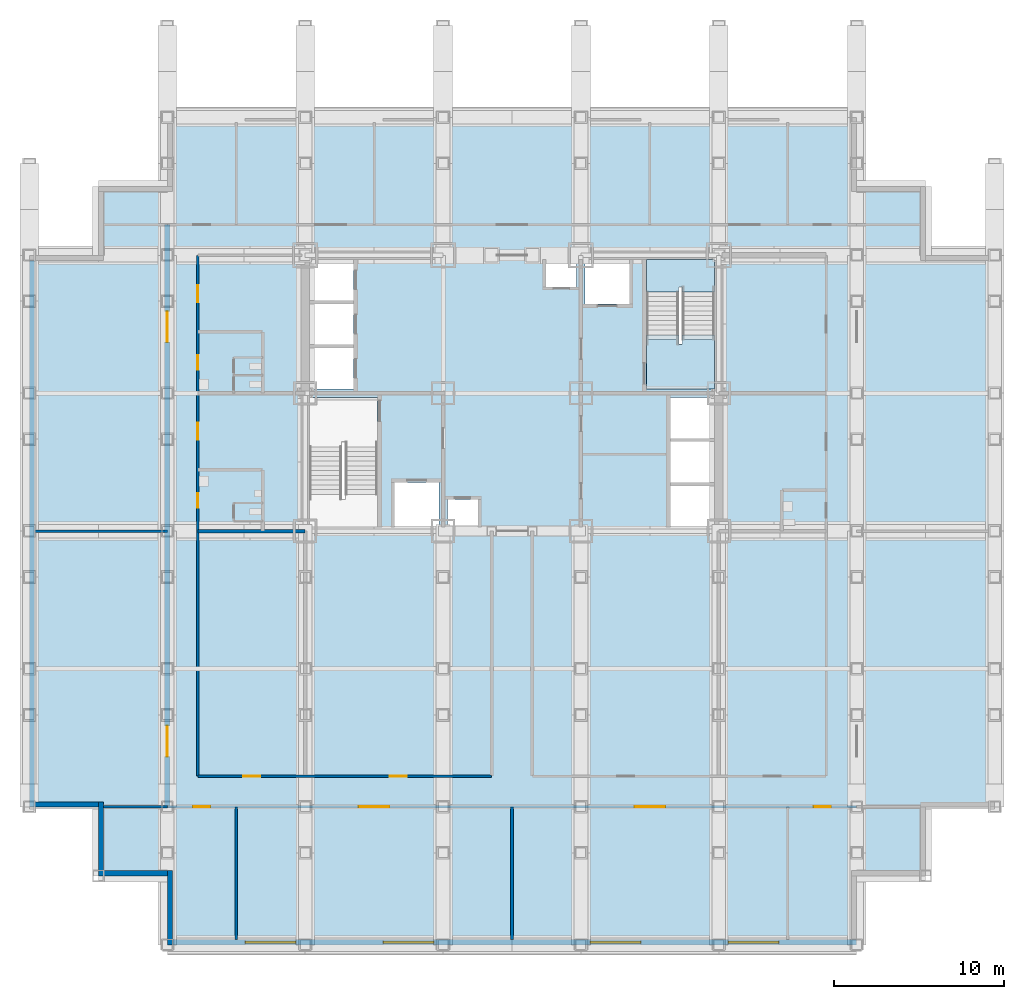
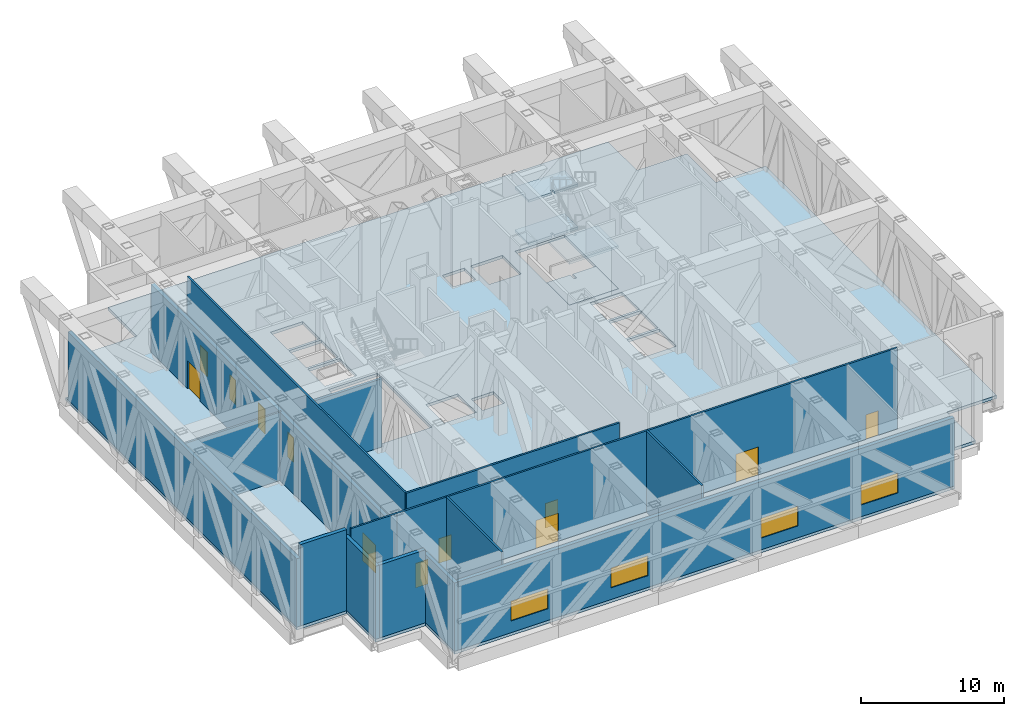
# One storey, part 7 of 13: 15 walls, 12 doors, 5 slabs, 4 windows, 16 openings, 1 element without a shape of its own.
"""IFC4 building model written with IfcOpenShell, lengths in metres."""

from ifc_helpers import new_model, si_unit, direction, frame, frame_2d, origin, place, context, subcontext, project, spatial, polyline, rectangle, outline, extrude, material, layer, layer_set, type_object, element, fill, aggregate, save


model = new_model("IFC4")

# Units and contexts
model_context = context("Model", 3, precision=1e-05, world=origin(), true_north=direction((0.0, 1.0)))
body_context = subcontext(model_context, "Body", "Model", "MODEL_VIEW")
ifc_project = project(units=[si_unit("LENGTHUNIT", "METRE"), si_unit("AREAUNIT", "SQUARE_METRE"), si_unit("VOLUMEUNIT", "CUBIC_METRE"), si_unit("PLANEANGLEUNIT", "RADIAN"), si_unit("MASSUNIT", "GRAM", prefix="KILO")], contexts=[model_context])

# Site, building, storey
site_placement = place(None, origin())
site = spatial("IfcSite", under=ifc_project, at=site_placement, CompositionType="ELEMENT")
building_placement = place(site_placement, origin())
building = spatial("IfcBuilding", under=site, at=building_placement, Name="Kopane Lantern Tower", CompositionType="ELEMENT")
storey_placement = place(building_placement, frame((0.0, 0.0, 90.800048828125)))
storey = spatial("IfcBuildingStorey", under=building, at=storey_placement, Name="L23", CompositionType="ELEMENT", Elevation=90.800048828125)

# Slab
ifc_material_1 = material(Name="Concrete C40/50", Category="concrete")
ifc_layer_1 = layer(ifc_material_1, 0.25)
ifc_layer_set_1 = layer_set([ifc_layer_1], Name="SLAB 250 COMPOSITE")
slab_type_1 = type_object("IfcSlabType", Name="SLAB 250 COMPOSITE", PredefinedType="FLOOR", material=ifc_layer_set_1)
slab_1_placement = place(storey_placement, frame((0.0, 0.0, -0.25)))
element("IfcSlab", 1, at=slab_1_placement, inside=storey, type_object=slab_type_1, Name="Floor slab L23", PredefinedType="FLOOR", context=body_context, shape_type="SweptSolid", body=[
    extrude(outline(polyline([(8.10009765625, 0.0), (48.60009765625, 0.0), (48.60009765625, 4.050048828125), (52.64990234375, 4.050048828125), (52.64990234375, 8.10009765625), (56.699951171875, 8.10009765625), (56.699951171875, 40.5), (52.64990234375, 40.5), (52.64990234375, 44.550048828125), (48.60009765625, 44.550048828125), (48.60009765625, 48.60009765625), (8.10009765625, 48.60009765625), (8.10009765625, 44.550048828125), (4.050048828125, 44.550048828125), (4.050048828125, 40.5), (0.0, 40.5), (0.0, 8.10009765625), (4.050048828125, 8.10009765625), (4.050048828125, 4.050048828125), (8.10009765625, 4.050048828125), (8.10009765625, 0.0)]), holes=[polyline([(16.449951171875, 24.550048828125), (20.449951171875, 24.550048828125), (20.449951171875, 32.14990234375), (16.449951171875, 32.14990234375), (16.449951171875, 24.550048828125)]), polyline([(36.25, 32.64990234375), (40.25, 32.64990234375), (40.25, 40.25), (36.25, 40.25), (36.25, 32.64990234375)]), polyline([(16.449951171875, 32.64990234375), (19.050048828125, 32.64990234375), (19.050048828125, 35.050048828125), (16.449951171875, 35.050048828125), (16.449951171875, 32.64990234375)]), polyline([(16.449951171875, 35.25), (19.050048828125, 35.25), (19.050048828125, 37.64990234375), (16.449951171875, 37.64990234375), (16.449951171875, 35.25)]), polyline([(16.449951171875, 37.85009765625), (19.050048828125, 37.85009765625), (19.050048828125, 40.25), (16.449951171875, 40.25), (16.449951171875, 37.85009765625)]), polyline([(37.64990234375, 24.550048828125), (40.25, 24.550048828125), (40.25, 26.949951171875), (37.64990234375, 26.949951171875), (37.64990234375, 24.550048828125)]), polyline([(37.64990234375, 27.14990234375), (40.25, 27.14990234375), (40.25, 29.550048828125), (37.64990234375, 29.550048828125), (37.64990234375, 27.14990234375)]), polyline([(37.64990234375, 29.75), (40.25, 29.75), (40.25, 32.14990234375), (37.64990234375, 32.14990234375), (37.64990234375, 29.75)]), polyline([(21.449951171875, 24.550048828125), (24.050048828125, 24.550048828125), (24.050048828125, 27.14990234375), (21.449951171875, 27.14990234375), (21.449951171875, 24.550048828125)]), polyline([(32.64990234375, 37.64990234375), (35.25, 37.64990234375), (35.25, 40.25), (32.64990234375, 40.25), (32.64990234375, 37.64990234375)]), polyline([(24.550048828125, 24.550048828125), (26.35009765625, 24.550048828125), (26.35009765625, 26.14990234375), (24.550048828125, 26.14990234375), (24.550048828125, 24.550048828125)]), polyline([(30.35009765625, 38.64990234375), (32.14990234375, 38.64990234375), (32.14990234375, 40.25), (30.35009765625, 40.25), (30.35009765625, 38.64990234375)])]), origin(), (0.0, 0.0, 1.0), 0.25),
])

# Stair, slabs
ifc_material_2 = material(Name="Steel S355JR", Category="steel")
stair_type = type_object("IfcStairType", Name="EXIT STAIR 1900 HALF TURN", PredefinedType="HALF_TURN_STAIR", material=ifc_material_2)
stair_placement = place(storey_placement, origin())
stair = element("IfcStair", 2, at=stair_placement, inside=storey, type_object=stair_type, Name="Exit stair ST2 L23", PredefinedType="HALF_TURN_STAIR")
ifc_material_3 = material(Name="Concrete C40/50", Category="concrete")
ifc_layer_2 = layer(ifc_material_3, 0.199951171875)
ifc_layer_set_2 = layer_set([ifc_layer_2], Name="STAIR LANDING 200")
slab_type_2 = type_object("IfcSlabType", Name="STAIR LANDING 200", PredefinedType="LANDING", material=ifc_layer_set_2)
slab_2_placement = place(storey_placement, frame((0.0, 0.0, -0.199951171875)))
slab_2 = element("IfcSlab", 3, at=slab_2_placement, type_object=slab_type_2, Name="ST2 landing 1", PredefinedType="LANDING", context=body_context, shape_type="SweptSolid", body=[
    extrude(outline(polyline([(40.25, 35.830078125), (38.35009765625, 35.830078125), (38.35009765625, 35.27001953125), (38.14990234375, 35.27001953125), (38.14990234375, 35.830078125), (36.25, 35.830078125), (36.25, 32.64990234375), (40.25, 32.64990234375), (40.25, 35.830078125)])), origin(), (0.0, 0.0, 1.0), 0.199951171875),
])
slab_3_placement = place(storey_placement, frame((0.0, 0.0, 1.641845703125)))
slab_3 = element("IfcSlab", 4, at=slab_3_placement, type_object=slab_type_2, Name="ST2 landing 2", PredefinedType="LANDING", context=body_context, shape_type="SweptSolid", body=[
    extrude(outline(polyline([(38.14990234375, 38.6298828125), (38.35009765625, 38.6298828125), (38.35009765625, 38.35009765625), (40.25, 38.35009765625), (40.25, 40.25), (36.25, 40.25), (36.25, 38.35009765625), (38.14990234375, 38.35009765625), (38.14990234375, 38.6298828125)])), origin(), (0.0, 0.0, 1.0), 0.199951171875),
])
slab_4_placement = place(storey_placement, frame((0.0, 0.0, 3.483642578125)))
slab_4 = element("IfcSlab", 5, at=slab_4_placement, type_object=slab_type_2, Name="ST2 landing 3", PredefinedType="LANDING", context=body_context, shape_type="SweptSolid", body=[
    extrude(outline(polyline([(40.25, 35.550048828125), (38.35009765625, 35.550048828125), (38.35009765625, 35.27001953125), (38.14990234375, 35.27001953125), (38.14990234375, 35.550048828125), (36.25, 35.550048828125), (36.25, 32.64990234375), (40.25, 32.64990234375), (40.25, 35.550048828125)])), origin(), (0.0, 0.0, 1.0), 0.199951171875),
])
slab_5_placement = place(storey_placement, frame((0.0, 0.0, 5.325439453125)))
slab_5 = element("IfcSlab", 6, at=slab_5_placement, type_object=slab_type_2, Name="ST2 landing 4", PredefinedType="LANDING", context=body_context, shape_type="SweptSolid", body=[
    extrude(outline(polyline([(38.14990234375, 38.6298828125), (38.35009765625, 38.6298828125), (38.35009765625, 38.35009765625), (40.25, 38.35009765625), (40.25, 40.25), (36.25, 40.25), (36.25, 38.35009765625), (38.14990234375, 38.35009765625), (38.14990234375, 38.6298828125)])), origin(), (0.0, 0.0, 1.0), 0.2001953125),
])
aggregate(stair, [slab_2, slab_3, slab_4, slab_5])

# Wall, openings, doors
ifc_material_4 = material(Name="Gypsum board on steel studs", Category="steel")
ifc_layer_3 = layer(ifc_material_4, 0.14990234375)
ifc_layer_set_3 = layer_set([ifc_layer_3], Name="CORRIDOR WALL 150 EI 60")
wall_type_1 = type_object("IfcWallType", Name="CORRIDOR WALL 150 EI 60", PredefinedType="PARTITIONING", material=ifc_layer_set_3)
wall_1_placement = place(storey_placement, frame((8.10009765625, 8.10009765625, 0.0), z_axis=(0.0, 0.0, 1.0), x_axis=(1.0, 0.0, 0.0)))
wall_1 = element("IfcWall", 7, at=wall_1_placement, inside=storey, type_object=wall_type_1, Name="Corridor Wall 150 Ei 60 L23", PredefinedType="PARTITIONING", context=body_context, shape_type="SweptSolid", body=[
    extrude(rectangle(XDim=40.5, YDim=0.14990234375, at=frame_2d((20.25, 0.0))), origin(), (0.0, 0.0, 1.0), 6.949951171875),
])
opening_1_placement = place(wall_1_placement, frame((11.25, 0.0, 0.0)))
opening_1 = element("IfcOpeningElement", 8, at=opening_1_placement, cuts=wall_1, Name="Opening L23-012", PredefinedType="OPENING", context=body_context, shape_type="SweptSolid", body=[
    extrude(rectangle(XDim=1.800048828125, YDim=2.39990234375, at=frame_2d((0.89990234375, 1.199951171875))), frame((0.0, 0.0849609375, 0.0), z_axis=(0.0, -1.0, 0.0), x_axis=(1.0, 0.0, 0.0)), (0.0, 0.0, 1.0), 0.169921875),
])
opening_2_placement = place(wall_1_placement, frame((27.449951171875, 0.0, 0.0)))
opening_2 = element("IfcOpeningElement", 9, at=opening_2_placement, cuts=wall_1, Name="Opening L23-013", PredefinedType="OPENING", context=body_context, shape_type="SweptSolid", body=[
    extrude(rectangle(XDim=1.800048828125, YDim=2.39990234375, at=frame_2d((0.89990234375, 1.199951171875))), frame((0.0, 0.0849609375, 0.0), z_axis=(0.0, -1.0, 0.0), x_axis=(1.0, 0.0, 0.0)), (0.0, 0.0, 1.0), 0.169921875),
])
opening_3_placement = place(wall_1_placement, frame((1.52490234375, 0.0, 0.0)))
opening_3 = element("IfcOpeningElement", 10, at=opening_3_placement, cuts=wall_1, Name="Opening L23-021", PredefinedType="OPENING", context=body_context, shape_type="SweptSolid", body=[
    extrude(rectangle(XDim=1.0, YDim=2.10009765625, at=frame_2d((0.5, 1.050048828125))), frame((0.0, 0.0849609375, 0.0), z_axis=(0.0, -1.0, 0.0), x_axis=(1.0, 0.0, 0.0)), (0.0, 0.0, 1.0), 0.169921875),
])
opening_4_placement = place(wall_1_placement, frame((37.97509765625, 0.0, 0.0)))
opening_4 = element("IfcOpeningElement", 11, at=opening_4_placement, cuts=wall_1, Name="Opening L23-022", PredefinedType="OPENING", context=body_context, shape_type="SweptSolid", body=[
    extrude(rectangle(XDim=1.0, YDim=2.10009765625, at=frame_2d((0.5, 1.050048828125))), frame((0.0, 0.0849609375, 0.0), z_axis=(0.0, -1.0, 0.0), x_axis=(1.0, 0.0, 0.0)), (0.0, 0.0, 1.0), 0.169921875),
])
ifc_material_5 = material(Name="Steel door set", Category="steel")
door_type_1 = type_object("IfcDoorType", Name="DOOR D5 1000x2100 FD60", OperationType="SINGLE_SWING_LEFT", PredefinedType="DOOR", material=ifc_material_5)
door_1_placement = place(opening_3_placement, origin())
door_1 = element("IfcDoor", 12, at=door_1_placement, inside=storey, type_object=door_type_1, Name="Door L23-021", OperationType="SINGLE_SWING_LEFT", OverallHeight=2.10009765625, OverallWidth=1.0, PredefinedType="DOOR", context=body_context, shape_type="SweptSolid", body=[
    extrude(rectangle(XDim=1.0, YDim=2.10009765625, at=frame_2d((0.5, 1.050048828125))), frame((0.0, 0.02490234375, 0.0), z_axis=(0.0, -1.0, 0.0), x_axis=(1.0, 0.0, 0.0)), (0.0, 0.0, 1.0), 0.050048828125),
])
fill(opening_3, door_1)
door_2_placement = place(opening_4_placement, origin())
door_2 = element("IfcDoor", 13, at=door_2_placement, inside=storey, type_object=door_type_1, Name="Door L23-022", OperationType="SINGLE_SWING_RIGHT", OverallHeight=2.10009765625, OverallWidth=1.0, PredefinedType="DOOR", context=body_context, shape_type="SweptSolid", body=[
    extrude(rectangle(XDim=1.0, YDim=2.10009765625, at=frame_2d((0.5, 1.050048828125))), frame((0.0, 0.02490234375, 0.0), z_axis=(0.0, -1.0, 0.0), x_axis=(1.0, 0.0, 0.0)), (0.0, 0.0, 1.0), 0.050048828125),
])
fill(opening_4, door_2)
ifc_material_6 = material(Name="Steel door set", Category="steel")
door_type_2 = type_object("IfcDoorType", Name="DOOR D6 1800x2400 FD30S", OperationType="SINGLE_SWING_LEFT", PredefinedType="DOOR", material=ifc_material_6)
door_3_placement = place(opening_1_placement, origin())
door_3 = element("IfcDoor", 14, at=door_3_placement, inside=storey, type_object=door_type_2, Name="Door L23-012", OperationType="DOUBLE_DOOR_SINGLE_SWING", OverallHeight=2.39990234375, OverallWidth=1.800048828125, PredefinedType="DOOR", context=body_context, shape_type="SweptSolid", body=[
    extrude(rectangle(XDim=1.800048828125, YDim=2.39990234375, at=frame_2d((0.89990234375, 1.199951171875))), frame((0.0, 0.02490234375, 0.0), z_axis=(0.0, -1.0, 0.0), x_axis=(1.0, 0.0, 0.0)), (0.0, 0.0, 1.0), 0.050048828125),
])
fill(opening_1, door_3)
ifc_material_7 = material(Name="Steel door set", Category="steel")
door_type_3 = type_object("IfcDoorType", Name="DOOR D8 1800x2400 FD120", OperationType="SINGLE_SWING_LEFT", PredefinedType="DOOR", material=ifc_material_7)
door_4_placement = place(opening_2_placement, origin())
door_4 = element("IfcDoor", 15, at=door_4_placement, inside=storey, type_object=door_type_3, Name="Door L23-013", OperationType="DOUBLE_DOOR_SINGLE_SWING", OverallHeight=2.39990234375, OverallWidth=1.800048828125, PredefinedType="DOOR", context=body_context, shape_type="SweptSolid", body=[
    extrude(rectangle(XDim=1.800048828125, YDim=2.39990234375, at=frame_2d((0.89990234375, 1.199951171875))), frame((0.0, 0.02490234375, 0.0), z_axis=(0.0, -1.0, 0.0), x_axis=(1.0, 0.0, 0.0)), (0.0, 0.0, 1.0), 0.050048828125),
])
fill(opening_2, door_4)

wall_2_placement = place(storey_placement, frame((9.89990234375, 40.5, 0.0), z_axis=(0.0, 0.0, 1.0), x_axis=(0.0, -1.0, 0.0)))
wall_2 = element("IfcWall", 16, at=wall_2_placement, inside=storey, type_object=wall_type_1, Name="Corridor Wall 150 Ei 60 L23", PredefinedType="PARTITIONING", context=body_context, shape_type="SweptSolid", body=[
    extrude(rectangle(XDim=30.60009765625, YDim=0.14990234375, at=frame_2d((15.300048828125, 0.0))), origin(), (0.0, 0.0, 1.0), 6.949951171875),
])
opening_5_placement = place(wall_2_placement, frame((13.97509765625, 0.0, 0.0)))
opening_5 = element("IfcOpeningElement", 17, at=opening_5_placement, cuts=wall_2, Name="Opening L23-001", PredefinedType="OPENING", context=body_context, shape_type="SweptSolid", body=[
    extrude(rectangle(XDim=0.85009765625, YDim=2.10009765625, at=frame_2d((0.425048828125, 1.050048828125))), frame((0.0, 0.0849609375, 0.0), z_axis=(0.0, -1.0, 0.0), x_axis=(1.0, 0.0, 0.0)), (0.0, 0.0, 1.0), 0.169921875),
])
opening_6_placement = place(wall_2_placement, frame((9.85009765625, 0.0, 0.0)))
opening_6 = element("IfcOpeningElement", 18, at=opening_6_placement, cuts=wall_2, Name="Opening L23-002", PredefinedType="OPENING", context=body_context, shape_type="SweptSolid", body=[
    extrude(rectangle(XDim=1.0, YDim=2.10009765625, at=frame_2d((0.5, 1.050048828125))), frame((0.0, 0.0849609375, 0.0), z_axis=(0.0, -1.0, 0.0), x_axis=(1.0, 0.0, 0.0)), (0.0, 0.0, 1.0), 0.169921875),
])
opening_7_placement = place(wall_2_placement, frame((5.875, 0.0, 0.0)))
opening_7 = element("IfcOpeningElement", 19, at=opening_7_placement, cuts=wall_2, Name="Opening L23-003", PredefinedType="OPENING", context=body_context, shape_type="SweptSolid", body=[
    extrude(rectangle(XDim=0.85009765625, YDim=2.10009765625, at=frame_2d((0.425048828125, 1.050048828125))), frame((0.0, 0.0849609375, 0.0), z_axis=(0.0, -1.0, 0.0), x_axis=(1.0, 0.0, 0.0)), (0.0, 0.0, 1.0), 0.169921875),
])
opening_8_placement = place(wall_2_placement, frame((1.75, 0.0, 0.0)))
opening_8 = element("IfcOpeningElement", 20, at=opening_8_placement, cuts=wall_2, Name="Opening L23-004", PredefinedType="OPENING", context=body_context, shape_type="SweptSolid", body=[
    extrude(rectangle(XDim=1.0, YDim=2.10009765625, at=frame_2d((0.5, 1.050048828125))), frame((0.0, 0.0849609375, 0.0), z_axis=(0.0, -1.0, 0.0), x_axis=(1.0, 0.0, 0.0)), (0.0, 0.0, 1.0), 0.169921875),
])
ifc_material_8 = material(Name="Timber door set", Category="wood")
door_type_4 = type_object("IfcDoorType", Name="DOOR D4 850x2100", OperationType="SINGLE_SWING_LEFT", PredefinedType="DOOR", material=ifc_material_8)
door_5_placement = place(opening_5_placement, origin())
door_5 = element("IfcDoor", 21, at=door_5_placement, inside=storey, type_object=door_type_4, Name="Door L23-001", OperationType="SINGLE_SWING_RIGHT", OverallHeight=2.10009765625, OverallWidth=0.85009765625, PredefinedType="DOOR", context=body_context, shape_type="SweptSolid", body=[
    extrude(rectangle(XDim=0.85009765625, YDim=2.10009765625, at=frame_2d((0.425048828125, 1.050048828125))), frame((0.0, 0.02490234375, 0.0), z_axis=(0.0, -1.0, 0.0), x_axis=(1.0, 0.0, 0.0)), (0.0, 0.0, 1.0), 0.050048828125),
])
fill(opening_5, door_5)
door_6_placement = place(opening_7_placement, origin())
door_6 = element("IfcDoor", 22, at=door_6_placement, inside=storey, type_object=door_type_4, Name="Door L23-003", OperationType="SINGLE_SWING_RIGHT", OverallHeight=2.10009765625, OverallWidth=0.85009765625, PredefinedType="DOOR", context=body_context, shape_type="SweptSolid", body=[
    extrude(rectangle(XDim=0.85009765625, YDim=2.10009765625, at=frame_2d((0.425048828125, 1.050048828125))), frame((0.0, 0.02490234375, 0.0), z_axis=(0.0, -1.0, 0.0), x_axis=(1.0, 0.0, 0.0)), (0.0, 0.0, 1.0), 0.050048828125),
])
fill(opening_7, door_6)
door_7_placement = place(opening_6_placement, origin())
door_7 = element("IfcDoor", 23, at=door_7_placement, inside=storey, type_object=door_type_1, Name="Door L23-002", OperationType="SINGLE_SWING_LEFT", OverallHeight=2.10009765625, OverallWidth=1.0, PredefinedType="DOOR", context=body_context, shape_type="SweptSolid", body=[
    extrude(rectangle(XDim=1.0, YDim=2.10009765625, at=frame_2d((0.5, 1.050048828125))), frame((0.0, 0.02490234375, 0.0), z_axis=(0.0, -1.0, 0.0), x_axis=(1.0, 0.0, 0.0)), (0.0, 0.0, 1.0), 0.050048828125),
])
fill(opening_6, door_7)
door_8_placement = place(opening_8_placement, origin())
door_8 = element("IfcDoor", 24, at=door_8_placement, inside=storey, type_object=door_type_1, Name="Door L23-004", OperationType="SINGLE_SWING_LEFT", OverallHeight=2.10009765625, OverallWidth=1.0, PredefinedType="DOOR", context=body_context, shape_type="SweptSolid", body=[
    extrude(rectangle(XDim=1.0, YDim=2.10009765625, at=frame_2d((0.5, 1.050048828125))), frame((0.0, 0.02490234375, 0.0), z_axis=(0.0, -1.0, 0.0), x_axis=(1.0, 0.0, 0.0)), (0.0, 0.0, 1.0), 0.050048828125),
])
fill(opening_8, door_8)

wall_3_placement = place(storey_placement, frame((9.89990234375, 9.89990234375, 0.0), z_axis=(0.0, 0.0, 1.0), x_axis=(1.0, 0.0, 0.0)))
wall_3 = element("IfcWall", 25, at=wall_3_placement, inside=storey, type_object=wall_type_1, Name="Corridor Wall 150 Ei 60 L23", PredefinedType="PARTITIONING", context=body_context, shape_type="SweptSolid", body=[
    extrude(rectangle(XDim=17.239990234375, YDim=0.14990234375, at=frame_2d((8.6201171875, 0.0))), origin(), (0.0, 0.0, 1.0), 6.949951171875),
])
opening_9_placement = place(wall_3_placement, frame((2.64990234375, 0.0, 0.0)))
opening_9 = element("IfcOpeningElement", 26, at=opening_9_placement, cuts=wall_3, Name="Opening L23-008", PredefinedType="OPENING", context=body_context, shape_type="SweptSolid", body=[
    extrude(rectangle(XDim=1.0, YDim=2.10009765625, at=frame_2d((0.5, 1.050048828125))), frame((0.0, 0.0849609375, 0.0), z_axis=(0.0, -1.0, 0.0), x_axis=(1.0, 0.0, 0.0)), (0.0, 0.0, 1.0), 0.169921875),
])
opening_10_placement = place(wall_3_placement, frame((11.27490234375, 0.0, 0.0)))
opening_10 = element("IfcOpeningElement", 27, at=opening_10_placement, cuts=wall_3, Name="Opening L23-009", PredefinedType="OPENING", context=body_context, shape_type="SweptSolid", body=[
    extrude(rectangle(XDim=1.0, YDim=2.10009765625, at=frame_2d((0.5, 1.050048828125))), frame((0.0, 0.0849609375, 0.0), z_axis=(0.0, -1.0, 0.0), x_axis=(1.0, 0.0, 0.0)), (0.0, 0.0, 1.0), 0.169921875),
])
door_9_placement = place(opening_9_placement, origin())
door_9 = element("IfcDoor", 28, at=door_9_placement, inside=storey, type_object=door_type_1, Name="Door L23-008", OperationType="SINGLE_SWING_LEFT", OverallHeight=2.10009765625, OverallWidth=1.0, PredefinedType="DOOR", context=body_context, shape_type="SweptSolid", body=[
    extrude(rectangle(XDim=1.0, YDim=2.10009765625, at=frame_2d((0.5, 1.050048828125))), frame((0.0, 0.02490234375, 0.0), z_axis=(0.0, -1.0, 0.0), x_axis=(1.0, 0.0, 0.0)), (0.0, 0.0, 1.0), 0.050048828125),
])
fill(opening_9, door_9)
door_10_placement = place(opening_10_placement, origin())
door_10 = element("IfcDoor", 29, at=door_10_placement, inside=storey, type_object=door_type_1, Name="Door L23-009", OperationType="SINGLE_SWING_RIGHT", OverallHeight=2.10009765625, OverallWidth=1.0, PredefinedType="DOOR", context=body_context, shape_type="SweptSolid", body=[
    extrude(rectangle(XDim=1.0, YDim=2.10009765625, at=frame_2d((0.5, 1.050048828125))), frame((0.0, 0.02490234375, 0.0), z_axis=(0.0, -1.0, 0.0), x_axis=(1.0, 0.0, 0.0)), (0.0, 0.0, 1.0), 0.050048828125),
])
fill(opening_10, door_10)

# Walls
ifc_material_9 = material(Name="Gypsum board on steel studs", Category="steel")
ifc_layer_4 = layer(ifc_material_9, 0.14990234375)
ifc_layer_set_4 = layer_set([ifc_layer_4], Name="DEMISING WALL 150 EI 60")
wall_type_2 = type_object("IfcWallType", Name="DEMISING WALL 150 EI 60", PredefinedType="PARTITIONING", material=ifc_layer_set_4)
wall_4_placement = place(storey_placement, frame((28.35009765625, 8.10009765625, 0.0), z_axis=(0.0, 0.0, 1.0), x_axis=(0.0, -1.0, 0.0)))
element("IfcWall", 30, at=wall_4_placement, inside=storey, type_object=wall_type_2, Name="Demising Wall 150 Ei 60 L23", PredefinedType="PARTITIONING", context=body_context, shape_type="SweptSolid", body=[
    extrude(rectangle(XDim=7.800048828125, YDim=0.14990234375, at=frame_2d((3.89990234375, 0.0))), origin(), (0.0, 0.0, 1.0), 6.949951171875),
])
wall_5_placement = place(storey_placement, frame((8.10009765625, 24.300048828125, 0.0), z_axis=(0.0, 0.0, 1.0), x_axis=(-1.0, 0.0, 0.0)))
element("IfcWall", 31, at=wall_5_placement, inside=storey, type_object=wall_type_2, Name="Demising Wall 150 Ei 60 L23", PredefinedType="PARTITIONING", context=body_context, shape_type="SweptSolid", body=[
    extrude(rectangle(XDim=7.800048828125, YDim=0.14990234375, at=frame_2d((3.89990234375, 0.0))), origin(), (0.0, 0.0, 1.0), 5.849853515625),
])
wall_6_placement = place(storey_placement, frame((4.35009765625, 8.10009765625, 0.0), z_axis=(0.0, 0.0, 1.0), x_axis=(1.0, 0.0, 0.0)))
element("IfcWall", 32, at=wall_6_placement, inside=storey, type_object=wall_type_2, Name="Demising Wall 150 Ei 60 L23", PredefinedType="PARTITIONING", context=body_context, shape_type="SweptSolid", body=[
    extrude(rectangle(XDim=3.75, YDim=0.14990234375, at=frame_2d((1.875, 0.0))), origin(), (0.0, 0.0, 1.0), 6.949951171875),
])
wall_7_placement = place(storey_placement, frame((12.14990234375, 8.10009765625, 0.0), z_axis=(0.0, 0.0, 1.0), x_axis=(0.0, -1.0, 0.0)))
element("IfcWall", 33, at=wall_7_placement, inside=storey, type_object=wall_type_2, Name="Demising Wall 150 Ei 60 L23", PredefinedType="PARTITIONING", context=body_context, shape_type="SweptSolid", body=[
    extrude(rectangle(XDim=7.800048828125, YDim=0.14990234375, at=frame_2d((3.89990234375, 0.0))), origin(), (0.0, 0.0, 1.0), 6.949951171875),
])

# Wall, openings, windows
ifc_material_10 = material(Name="Terracotta rainscreen on light steel framing", Category="masonry")
ifc_layer_5 = layer(ifc_material_10, 0.300048828125)
ifc_layer_set_5 = layer_set([ifc_layer_5], Name="EXTERNAL WALL EW1 300 TERRACOTTA")
wall_type_3 = type_object("IfcWallType", Name="EXTERNAL WALL EW1 300 TERRACOTTA", PredefinedType="SOLIDWALL", material=ifc_layer_set_5)
wall_8_placement = place(storey_placement, frame((8.39990234375, 0.14990234375, 0.0), z_axis=(0.0, 0.0, 1.0), x_axis=(1.0, 0.0, 0.0)))
wall_8 = element("IfcWall", 34, at=wall_8_placement, inside=storey, type_object=wall_type_3, Name="External wall S L23", PredefinedType="SOLIDWALL", context=body_context, shape_type="SweptSolid", body=[
    extrude(rectangle(XDim=40.2001953125, YDim=0.300048828125, at=frame_2d((20.10009765625, 0.0))), origin(), (0.0, 0.0, 1.0), 5.849853515625),
])
opening_11_placement = place(wall_8_placement, frame((4.27490234375, 0.0, 1.0)))
opening_11 = element("IfcOpeningElement", 35, at=opening_11_placement, cuts=wall_8, Name="Opening LV300170", PredefinedType="OPENING", context=body_context, shape_type="SweptSolid", body=[
    extrude(rectangle(XDim=3.0, YDim=1.699951171875, at=frame_2d((1.5, 0.85009765625))), frame((0.0, 0.159912109375, 0.0), z_axis=(0.0, -1.0, 0.0), x_axis=(1.0, 0.0, 0.0)), (0.0, 0.0, 1.0), 0.320068359375),
])
opening_12_placement = place(wall_8_placement, frame((12.375, 0.0, 1.0)))
opening_12 = element("IfcOpeningElement", 36, at=opening_12_placement, cuts=wall_8, Name="Opening LV300170", PredefinedType="OPENING", context=body_context, shape_type="SweptSolid", body=[
    extrude(rectangle(XDim=3.0, YDim=1.699951171875, at=frame_2d((1.5, 0.85009765625))), frame((0.0, 0.159912109375, 0.0), z_axis=(0.0, -1.0, 0.0), x_axis=(1.0, 0.0, 0.0)), (0.0, 0.0, 1.0), 0.320068359375),
])
opening_13_placement = place(wall_8_placement, frame((24.52490234375, 0.0, 1.0)))
opening_13 = element("IfcOpeningElement", 37, at=opening_13_placement, cuts=wall_8, Name="Opening LV300170", PredefinedType="OPENING", context=body_context, shape_type="SweptSolid", body=[
    extrude(rectangle(XDim=3.0, YDim=1.699951171875, at=frame_2d((1.5, 0.85009765625))), frame((0.0, 0.159912109375, 0.0), z_axis=(0.0, -1.0, 0.0), x_axis=(1.0, 0.0, 0.0)), (0.0, 0.0, 1.0), 0.320068359375),
])
opening_14_placement = place(wall_8_placement, frame((32.625, 0.0, 1.0)))
opening_14 = element("IfcOpeningElement", 38, at=opening_14_placement, cuts=wall_8, Name="Opening LV300170", PredefinedType="OPENING", context=body_context, shape_type="SweptSolid", body=[
    extrude(rectangle(XDim=3.0, YDim=1.699951171875, at=frame_2d((1.5, 0.85009765625))), frame((0.0, 0.159912109375, 0.0), z_axis=(0.0, -1.0, 0.0), x_axis=(1.0, 0.0, 0.0)), (0.0, 0.0, 1.0), 0.320068359375),
])
ifc_material_11 = material(Name="Aluminium louvre blades", Category="aluminium")
window_type = type_object("IfcWindowType", Name="PLANT LOUVRE LV300170 3000x1700x150", PartitioningType="SINGLE_PANEL", PredefinedType="USERDEFINED", material=ifc_material_11)
window_1_placement = place(opening_11_placement, origin())
window_1 = element("IfcWindow", 39, at=window_1_placement, inside=storey, type_object=window_type, Name="Louvre S L23", ObjectType="LOUVRE", OverallHeight=1.699951171875, OverallWidth=3.0, PartitioningType="SINGLE_PANEL", PredefinedType="USERDEFINED", context=body_context, shape_type="SweptSolid", body=[
    extrude(rectangle(XDim=3.0, YDim=1.699951171875, at=frame_2d((1.5, 0.85009765625))), frame((0.0, 0.074951171875, 0.0), z_axis=(0.0, -1.0, 0.0), x_axis=(1.0, 0.0, 0.0)), (0.0, 0.0, 1.0), 0.14990234375),
])
fill(opening_11, window_1)
window_2_placement = place(opening_12_placement, origin())
window_2 = element("IfcWindow", 40, at=window_2_placement, inside=storey, type_object=window_type, Name="Louvre S L23", ObjectType="LOUVRE", OverallHeight=1.699951171875, OverallWidth=3.0, PartitioningType="SINGLE_PANEL", PredefinedType="USERDEFINED", context=body_context, shape_type="SweptSolid", body=[
    extrude(rectangle(XDim=3.0, YDim=1.699951171875, at=frame_2d((1.5, 0.85009765625))), frame((0.0, 0.074951171875, 0.0), z_axis=(0.0, -1.0, 0.0), x_axis=(1.0, 0.0, 0.0)), (0.0, 0.0, 1.0), 0.14990234375),
])
fill(opening_12, window_2)
window_3_placement = place(opening_13_placement, origin())
window_3 = element("IfcWindow", 41, at=window_3_placement, inside=storey, type_object=window_type, Name="Louvre S L23", ObjectType="LOUVRE", OverallHeight=1.699951171875, OverallWidth=3.0, PartitioningType="SINGLE_PANEL", PredefinedType="USERDEFINED", context=body_context, shape_type="SweptSolid", body=[
    extrude(rectangle(XDim=3.0, YDim=1.699951171875, at=frame_2d((1.5, 0.85009765625))), frame((0.0, 0.074951171875, 0.0), z_axis=(0.0, -1.0, 0.0), x_axis=(1.0, 0.0, 0.0)), (0.0, 0.0, 1.0), 0.14990234375),
])
fill(opening_13, window_3)
window_4_placement = place(opening_14_placement, origin())
window_4 = element("IfcWindow", 42, at=window_4_placement, inside=storey, type_object=window_type, Name="Louvre S L23", ObjectType="LOUVRE", OverallHeight=1.699951171875, OverallWidth=3.0, PartitioningType="SINGLE_PANEL", PredefinedType="USERDEFINED", context=body_context, shape_type="SweptSolid", body=[
    extrude(rectangle(XDim=3.0, YDim=1.699951171875, at=frame_2d((1.5, 0.85009765625))), frame((0.0, 0.074951171875, 0.0), z_axis=(0.0, -1.0, 0.0), x_axis=(1.0, 0.0, 0.0)), (0.0, 0.0, 1.0), 0.14990234375),
])
fill(opening_14, window_4)

# Walls
wall_9_placement = place(storey_placement, frame((0.14990234375, 40.199951171875, 0.0), z_axis=(0.0, 0.0, 1.0), x_axis=(0.0, -1.0, 0.0)))
element("IfcWall", 43, at=wall_9_placement, inside=storey, type_object=wall_type_3, Name="External wall W L23", PredefinedType="SOLIDWALL", context=body_context, shape_type="SweptSolid", body=[
    extrude(rectangle(XDim=32.099853515625, YDim=0.300048828125, at=frame_2d((16.0498046875, 0.0))), origin(), (0.0, 0.0, 1.0), 5.849853515625),
])
wall_10_placement = place(storey_placement, frame((0.300048828125, 8.25, 0.0), z_axis=(0.0, 0.0, 1.0), x_axis=(1.0, 0.0, 0.0)))
element("IfcWall", 44, at=wall_10_placement, inside=storey, type_object=wall_type_3, Name="External wall S L23", PredefinedType="SOLIDWALL", context=body_context, shape_type="SweptSolid", body=[
    extrude(rectangle(XDim=3.75, YDim=0.300048828125, at=frame_2d((1.875, 0.0))), origin(), (0.0, 0.0, 1.0), 6.949951171875),
])
wall_11_placement = place(storey_placement, frame((4.199951171875, 8.39990234375, 0.0), z_axis=(0.0, 0.0, 1.0), x_axis=(0.0, -1.0, 0.0)))
element("IfcWall", 45, at=wall_11_placement, inside=storey, type_object=wall_type_3, Name="External wall W L23", PredefinedType="SOLIDWALL", context=body_context, shape_type="SweptSolid", body=[
    extrude(rectangle(XDim=4.349853515625, YDim=0.300048828125, at=frame_2d((2.1748046875, 0.0))), origin(), (0.0, 0.0, 1.0), 6.25),
])
wall_12_placement = place(storey_placement, frame((4.35009765625, 4.199951171875, 0.0), z_axis=(0.0, 0.0, 1.0), x_axis=(1.0, 0.0, 0.0)))
element("IfcWall", 46, at=wall_12_placement, inside=storey, type_object=wall_type_3, Name="External wall S L23", PredefinedType="SOLIDWALL", context=body_context, shape_type="SweptSolid", body=[
    extrude(rectangle(XDim=3.75, YDim=0.300048828125, at=frame_2d((1.875, 0.0))), origin(), (0.0, 0.0, 1.0), 6.25),
])
wall_13_placement = place(storey_placement, frame((8.25, 4.35009765625, 0.0), z_axis=(0.0, 0.0, 1.0), x_axis=(0.0, -1.0, 0.0)))
element("IfcWall", 47, at=wall_13_placement, inside=storey, type_object=wall_type_3, Name="External wall W L23", PredefinedType="SOLIDWALL", context=body_context, shape_type="SweptSolid", body=[
    extrude(rectangle(XDim=4.35009765625, YDim=0.300048828125, at=frame_2d((2.175048828125, 0.0))), origin(), (0.0, 0.0, 1.0), 5.849853515625),
])
ifc_material_12 = material(Name="Concrete masonry", Category="masonry")
ifc_layer_6 = layer(ifc_material_12, 0.199951171875)
ifc_layer_set_6 = layer_set([ifc_layer_6], Name="PLANT ROOM WALL 200 EI 120")
wall_type_4 = type_object("IfcWallType", Name="PLANT ROOM WALL 200 EI 120", PredefinedType="SOLIDWALL", material=ifc_layer_set_6)
wall_14_placement = place(storey_placement, frame((9.89990234375, 24.300048828125, 0.0), z_axis=(0.0, 0.0, 1.0), x_axis=(1.0, 0.0, 0.0)))
element("IfcWall", 48, at=wall_14_placement, inside=storey, type_object=wall_type_4, Name="Plant Room Wall 200 Ei 120 L23", PredefinedType="SOLIDWALL", context=body_context, shape_type="SweptSolid", body=[
    extrude(rectangle(XDim=6.300048828125, YDim=0.199951171875, at=frame_2d((3.14990234375, 0.0))), origin(), (0.0, 0.0, 1.0), 5.849853515625),
])

# Wall, openings, doors
ifc_material_13 = material(Name="Gypsum board on steel studs", Category="steel")
ifc_layer_7 = layer(ifc_material_13, 0.300048828125)
ifc_layer_set_7 = layer_set([ifc_layer_7], Name="TRUSS CORRIDOR WALL 300 EI 120")
wall_type_5 = type_object("IfcWallType", Name="TRUSS CORRIDOR WALL 300 EI 120", PredefinedType="PARTITIONING", material=ifc_layer_set_7)
wall_15_placement = place(storey_placement, frame((8.10009765625, 8.10009765625, 0.0), z_axis=(0.0, 0.0, 1.0), x_axis=(0.0, 1.0, 0.0)))
wall_15 = element("IfcWall", 49, at=wall_15_placement, inside=storey, type_object=wall_type_5, Name="Truss Corridor Wall 300 Ei 120 L23", PredefinedType="PARTITIONING", context=body_context, shape_type="SweptSolid", body=[
    extrude(rectangle(XDim=34.199951171875, YDim=0.300048828125, at=frame_2d((17.10009765625, 0.0))), origin(), (0.0, 0.0, 1.0), 5.849853515625),
])
opening_15_placement = place(wall_15_placement, frame((2.949951171875, 0.0, 0.0)))
opening_15 = element("IfcOpeningElement", 50, at=opening_15_placement, cuts=wall_15, Name="Opening L23-017", PredefinedType="OPENING", context=body_context, shape_type="SweptSolid", body=[
    extrude(rectangle(XDim=1.800048828125, YDim=2.39990234375, at=frame_2d((0.89990234375, 1.199951171875))), frame((0.0, 0.159912109375, 0.0), z_axis=(0.0, -1.0, 0.0), x_axis=(1.0, 0.0, 0.0)), (0.0, 0.0, 1.0), 0.320068359375),
])
opening_16_placement = place(wall_15_placement, frame((27.300048828125, 0.0, 0.0)))
opening_16 = element("IfcOpeningElement", 51, at=opening_16_placement, cuts=wall_15, Name="Opening L23-018", PredefinedType="OPENING", context=body_context, shape_type="SweptSolid", body=[
    extrude(rectangle(XDim=1.800048828125, YDim=2.39990234375, at=frame_2d((0.89990234375, 1.199951171875))), frame((0.0, 0.159912109375, 0.0), z_axis=(0.0, -1.0, 0.0), x_axis=(1.0, 0.0, 0.0)), (0.0, 0.0, 1.0), 0.320068359375),
])
door_11_placement = place(opening_15_placement, origin())
door_11 = element("IfcDoor", 52, at=door_11_placement, inside=storey, type_object=door_type_3, Name="Door L23-017", OperationType="DOUBLE_DOOR_SINGLE_SWING", OverallHeight=2.39990234375, OverallWidth=1.800048828125, PredefinedType="DOOR", context=body_context, shape_type="SweptSolid", body=[
    extrude(rectangle(XDim=1.800048828125, YDim=2.39990234375, at=frame_2d((0.89990234375, 1.199951171875))), frame((0.0, 0.02490234375, 0.0), z_axis=(0.0, -1.0, 0.0), x_axis=(1.0, 0.0, 0.0)), (0.0, 0.0, 1.0), 0.050048828125),
])
fill(opening_15, door_11)
door_12_placement = place(opening_16_placement, origin())
door_12 = element("IfcDoor", 53, at=door_12_placement, inside=storey, type_object=door_type_3, Name="Door L23-018", OperationType="DOUBLE_DOOR_SINGLE_SWING", OverallHeight=2.39990234375, OverallWidth=1.800048828125, PredefinedType="DOOR", context=body_context, shape_type="SweptSolid", body=[
    extrude(rectangle(XDim=1.800048828125, YDim=2.39990234375, at=frame_2d((0.89990234375, 1.199951171875))), frame((0.0, 0.02490234375, 0.0), z_axis=(0.0, -1.0, 0.0), x_axis=(1.0, 0.0, 0.0)), (0.0, 0.0, 1.0), 0.050048828125),
])
fill(opening_16, door_12)

save(model, "model.ifc")
